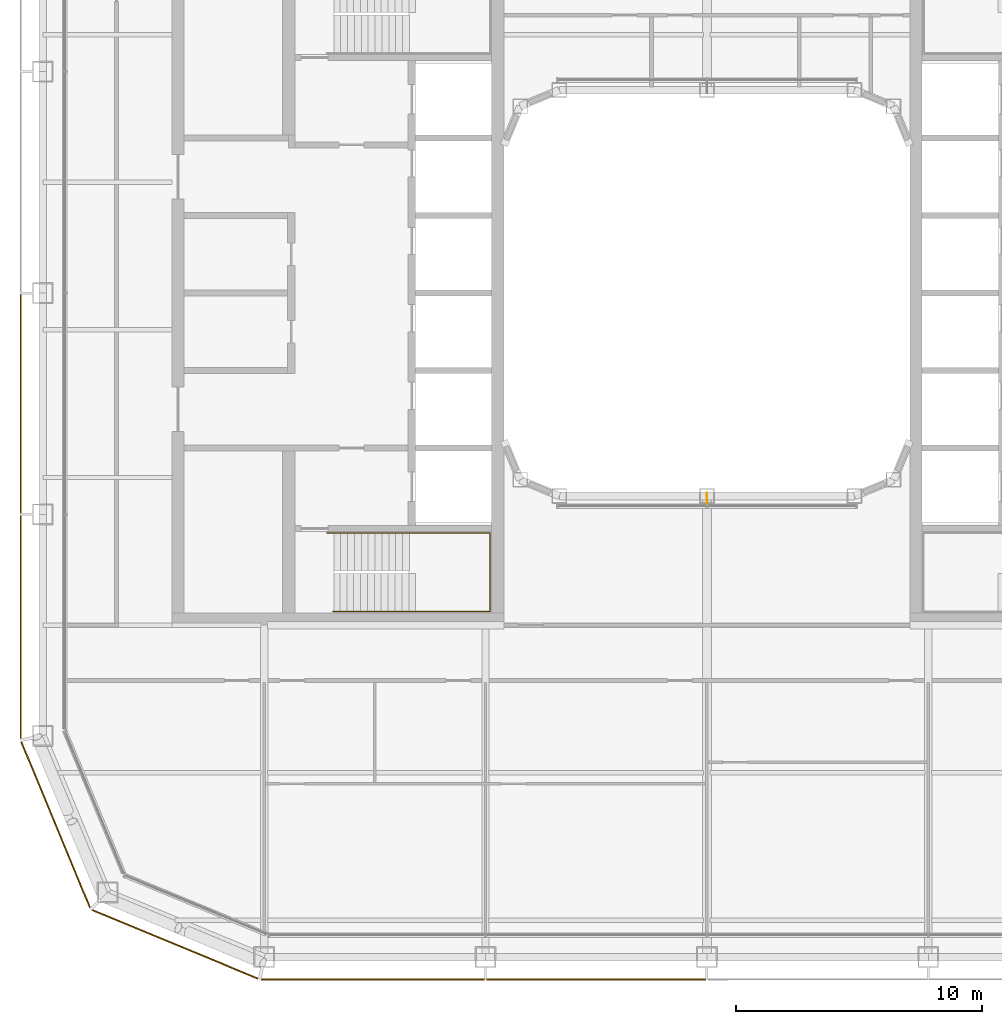
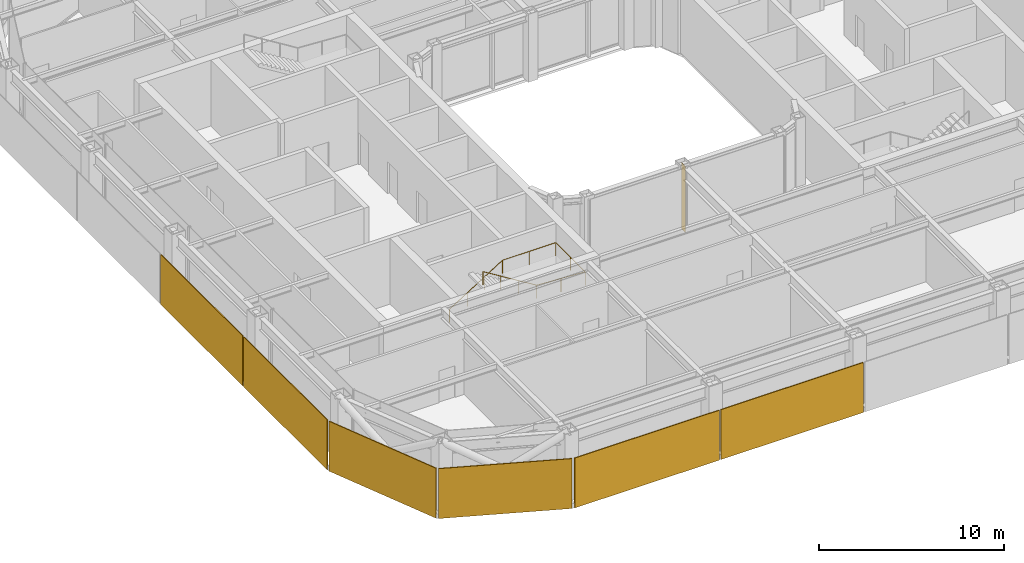
# One storey, part 19 of 23: 6 coverings, 1 railing, 1 shading device.
"""IFC4 building model written with IfcOpenShell, lengths in metres."""

from ifc_helpers import new_model, si_unit, direction, frame, origin, origin_2d, place, context, subcontext, project, spatial, rectangle, circle, extrude, material, layer, layer_set, type_object, element, save


model = new_model("IFC4")

# Units and contexts
model_context = context("Model", 3, precision=1e-05, world=origin(), true_north=direction((0.0, 1.0)))
body_context = subcontext(model_context, "Body", "Model", "MODEL_VIEW")
ifc_project = project(units=[si_unit("LENGTHUNIT", "METRE"), si_unit("AREAUNIT", "SQUARE_METRE"), si_unit("VOLUMEUNIT", "CUBIC_METRE"), si_unit("PLANEANGLEUNIT", "RADIAN"), si_unit("MASSUNIT", "GRAM", prefix="KILO")], contexts=[model_context])

# Site, building, storey
site_placement = place(None, origin())
site = spatial("IfcSite", under=ifc_project, at=site_placement, CompositionType="ELEMENT")
building_placement = place(site_placement, origin())
building = spatial("IfcBuilding", under=site, at=building_placement, Name="Siwar Civic Tower", CompositionType="ELEMENT")
storey_placement = place(building_placement, frame((0.0, 0.0, 224.199951171875)))
storey = spatial("IfcBuildingStorey", under=building, at=storey_placement, Name="L48", CompositionType="ELEMENT", Elevation=224.199951171875)

# Railing
ifc_material_1 = material(Name="Stainless steel", Category="steel")
railing_type = type_object("IfcRailingType", Name="CORE-STAIR-HANDRAIL", PredefinedType="HANDRAIL", material=ifc_material_1)
railing_placement = place(storey_placement, frame((-15.449951171875, -9.758056640625, 0.173095703125)))
element("IfcRailing", 1, at=railing_placement, inside=storey, type_object=railing_type, Name="Stair handrail ST2", PredefinedType="HANDRAIL", context=body_context, shape_type="SweptSolid", body=[
    extrude(circle(Radius=0.02001953125, at=origin_2d()), frame((0.0, 0.0, 0.8798828125), z_axis=(0.847063342986, 0.0, 0.531491950051), x_axis=(0.0, 1.0, 0.0)), (0.0, 0.0, 1.0), 3.90771484375),
    extrude(circle(Radius=0.02001953125, at=origin_2d()), frame((3.31005859375, 0.0, 2.956787109375), z_axis=(1.0, 0.0, 0.0), x_axis=(0.0, 1.0, 0.0)), (0.0, 0.0, 1.0), 3.331787109375),
    extrude(circle(Radius=0.02001953125, at=origin_2d()), frame((6.641845703125, 0.0, 2.956787109375), z_axis=(0.0, -1.0, 0.0), x_axis=(1.0, 0.0, 0.0)), (0.0, 0.0, 1.0), 3.183837890625),
    extrude(circle(Radius=0.02001953125, at=origin_2d()), frame((6.641845703125, -3.183837890625, 2.956787109375), z_axis=(-0.99837434197, 0.0, 0.056997134106), x_axis=(0.0, -1.0, 0.0)), (0.0, 0.0, 1.0), 3.036865234375),
    extrude(circle(Radius=0.02001953125, at=origin_2d()), frame((3.60986328125, -3.183837890625, 3.1298828125), z_axis=(-0.850606129759, 0.0, 0.525803396734), x_axis=(0.0, -1.0, 0.0)), (0.0, 0.0, 1.0), 3.949951171875),
    extrude(circle(Radius=0.02001953125, at=origin_2d()), origin(), (0.0, 0.0, 1.0), 0.85986328125),
    extrude(circle(Radius=0.02001953125, at=origin_2d()), frame((1.103271484375, 0.0, 0.6923828125)), (0.0, 0.0, 1.0), 0.85986328125),
    extrude(circle(Radius=0.02001953125, at=origin_2d()), frame((2.206787109375, 0.0, 1.384521484375)), (0.0, 0.0, 1.0), 0.85986328125),
    extrude(circle(Radius=0.02001953125, at=origin_2d()), frame((3.31005859375, 0.0, 2.076904296875)), (0.0, 0.0, 1.0), 0.85986328125),
    extrude(circle(Radius=0.02001953125, at=origin_2d()), frame((4.97607421875, 0.0, 2.076904296875)), (0.0, 0.0, 1.0), 0.85986328125),
    extrude(circle(Radius=0.02001953125, at=origin_2d()), frame((6.641845703125, 0.0, 2.076904296875)), (0.0, 0.0, 1.0), 0.85986328125),
    extrude(circle(Radius=0.02001953125, at=origin_2d()), frame((6.641845703125, -1.591796875, 2.076904296875)), (0.0, 0.0, 1.0), 0.85986328125),
    extrude(circle(Radius=0.02001953125, at=origin_2d()), frame((6.641845703125, -3.183837890625, 2.076904296875)), (0.0, 0.0, 1.0), 0.85986328125),
    extrude(circle(Radius=0.02001953125, at=origin_2d()), frame((5.1259765625, -3.183837890625, 2.16357421875)), (0.0, 0.0, 1.0), 0.85986328125),
    extrude(circle(Radius=0.02001953125, at=origin_2d()), frame((3.60986328125, -3.183837890625, 2.25)), (0.0, 0.0, 1.0), 0.85986328125),
    extrude(circle(Radius=0.02001953125, at=origin_2d()), frame((2.489990234375, -3.183837890625, 2.9423828125)), (0.0, 0.0, 1.0), 0.85986328125),
    extrude(circle(Radius=0.02001953125, at=origin_2d()), frame((1.369873046875, -3.183837890625, 3.634521484375)), (0.0, 0.0, 1.0), 0.85986328125),
    extrude(circle(Radius=0.02001953125, at=origin_2d()), frame((0.25, -3.183837890625, 4.326904296875)), (0.0, 0.0, 1.0), 0.85986328125),
])

# Shading device
ifc_material_2 = material(Name="Aluminium 6063-T6", Category="aluminium")
ifc_layer_1 = layer(ifc_material_2, 0.02001953125)
ifc_layer_set_1 = layer_set([ifc_layer_1], Name="Aluminium 6063-T6")
shading_device_type = type_object("IfcShadingDeviceType", Name="ENV-FIN", PredefinedType="JALOUSIE", material=ifc_layer_set_1)
shading_device_placement = place(storey_placement, frame((0.0, -8.344970703125, 0.0), z_axis=(0.0, 0.0, 1.0), x_axis=(1.0, 0.0, 0.0)))
element("IfcShadingDevice", 2, at=shading_device_placement, inside=storey, type_object=shading_device_type, Name="SUNSHADE fin WS 1", PredefinedType="JALOUSIE", context=body_context, shape_type="SweptSolid", body=[
    extrude(rectangle(XDim=0.02001953125, YDim=0.449951171875, at=origin_2d()), origin(), (0.0, 0.0, 1.0), 4.35009765625),
])

# Coverings
ifc_material_3 = material(Name="Perforated aluminium cassette, pale metal", Category="aluminium")
ifc_layer_2 = layer(ifc_material_3, 0.050048828125)
ifc_layer_set_2 = layer_set([ifc_layer_2], Name="Perforated aluminium cassette, pale metal")
covering_type_1 = type_object("IfcCoveringType", Name="ENV-OUTER SKIN OS-3", PredefinedType="CLADDING", material=ifc_layer_set_2)
covering_1_placement = place(storey_placement, frame((-27.89990234375, -4.5, -0.14990234375), z_axis=(0.0, 0.0, 1.0), x_axis=(0.0, -1.0, 0.0)))
element("IfcCovering", 3, at=covering_1_placement, inside=storey, type_object=covering_type_1, Name="OUTER SKIN OS-3 W 3", PredefinedType="CLADDING", context=body_context, shape_type="SweptSolid", body=[
    extrude(rectangle(XDim=8.89990234375, YDim=0.050048828125, at=origin_2d()), origin(), (0.0, 0.0, 1.0), 3.300048828125),
])
covering_2_placement = place(storey_placement, frame((-27.89990234375, -13.57958984375, -0.14990234375), z_axis=(0.0, 0.0, 1.0), x_axis=(0.0, -1.0, 0.0)))
element("IfcCovering", 4, at=covering_2_placement, inside=storey, type_object=covering_type_1, Name="OUTER SKIN OS-3 W 4", PredefinedType="CLADDING", context=body_context, shape_type="SweptSolid", body=[
    extrude(rectangle(XDim=9.05908203125, YDim=0.050048828125, at=origin_2d()), origin(), (0.0, 0.0, 1.0), 3.300048828125),
])
ifc_material_4 = material(Name="Perforated aluminium cassette, pale metal", Category="aluminium")
ifc_layer_3 = layer(ifc_material_4, 0.054931640625)
ifc_layer_set_3 = layer_set([ifc_layer_3], Name="Perforated aluminium cassette, pale metal")
covering_type_2 = type_object("IfcCoveringType", Name="ENV-OUTER SKIN OS-4", PredefinedType="CLADDING", material=ifc_layer_set_3)
covering_3_placement = place(storey_placement, frame((-13.57958984375, -27.89990234375, -0.14990234375), z_axis=(0.0, 0.0, 1.0), x_axis=(1.0, 0.0, 0.0)))
element("IfcCovering", 5, at=covering_3_placement, inside=storey, type_object=covering_type_2, Name="OUTER SKIN OS-4 S 1", PredefinedType="CLADDING", context=body_context, shape_type="SweptSolid", body=[
    extrude(rectangle(XDim=9.05908203125, YDim=0.054931640625, at=origin_2d()), origin(), (0.0, 0.0, 1.0), 3.300048828125),
])
covering_4_placement = place(storey_placement, frame((-4.5, -27.89990234375, -0.14990234375), z_axis=(0.0, 0.0, 1.0), x_axis=(1.0, 0.0, 0.0)))
element("IfcCovering", 6, at=covering_4_placement, inside=storey, type_object=covering_type_2, Name="OUTER SKIN OS-4 S 2", PredefinedType="CLADDING", context=body_context, shape_type="SweptSolid", body=[
    extrude(rectangle(XDim=8.89990234375, YDim=0.054931640625, at=origin_2d()), origin(), (0.0, 0.0, 1.0), 3.300048828125),
])
for number, where, z_axis, x_axis, name in (
    (7, (-26.476318359375, -21.615966796875, -0.14990234375), (0.0, 0.0, 1.0), (0.382683432365, -0.923879532511, 0.0), "OUTER SKIN OS-4 SW1 1"),
    (8, (-21.615966796875, -26.476318359375, -0.14990234375), (0.0, 0.0, 1.0), (0.923879532511, -0.382683432365, 0.0), "OUTER SKIN OS-4 SW2 1"),
):
    element("IfcCovering", number, at=place(storey_placement, frame(where, z_axis=z_axis, x_axis=x_axis)), inside=storey, type_object=covering_type_2, Name=name, PredefinedType="CLADDING", context=body_context, shape_type="SweptSolid", body=[
        extrude(rectangle(XDim=7.300048828125, YDim=0.054931640625, at=origin_2d()), origin(), (0.0, 0.0, 1.0), 3.300048828125),
    ])

save(model, "model.ifc")
